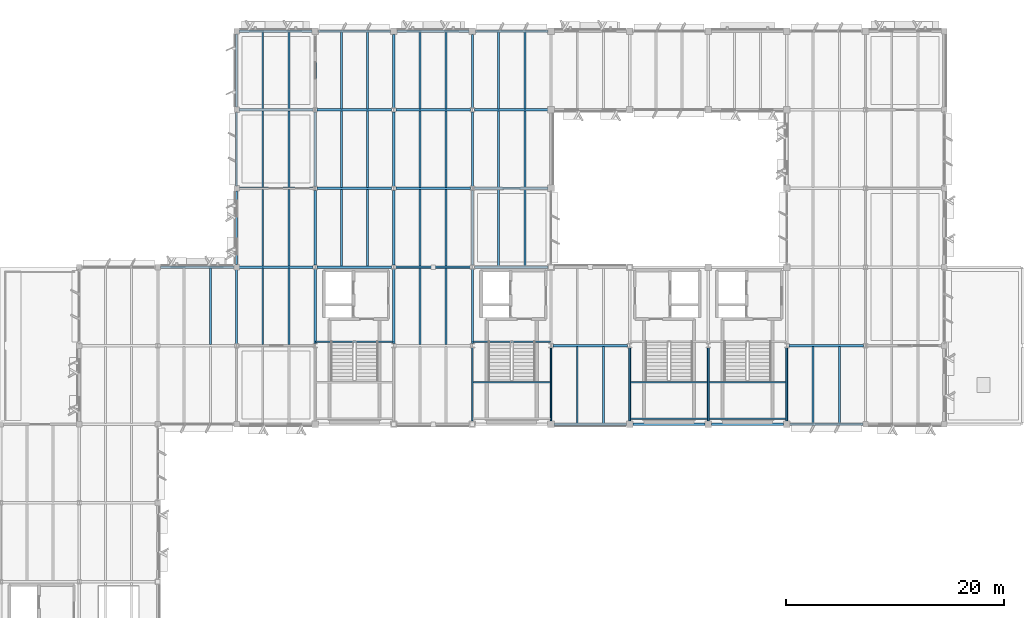
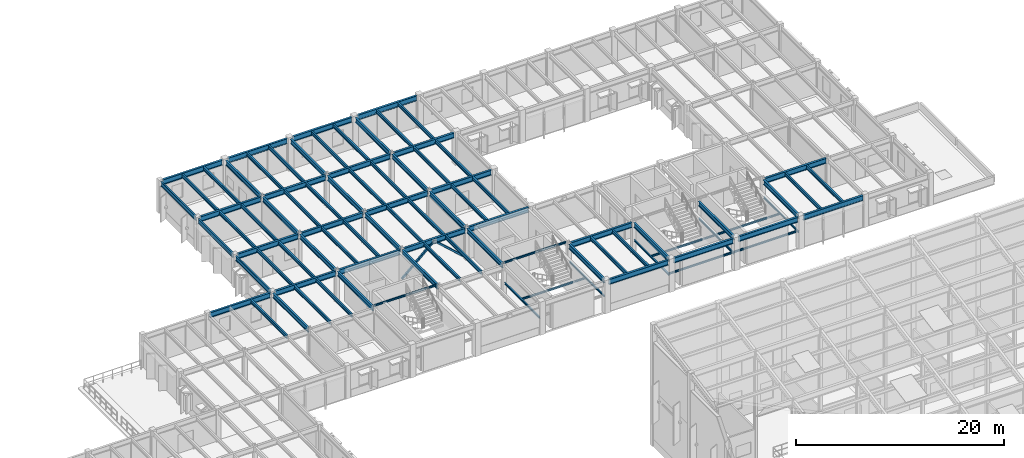
# One storey, part 19 of 82: 88 beams, 2 members.
"""IFC4 building model written with IfcOpenShell, lengths in metres."""

from ifc_helpers import new_model, si_unit, direction, frame, origin, origin_2d, place, context, subcontext, project, spatial, hollow_rectangle, i_section, extrude, material, material_profile, profile_set, type_object, element, save


model = new_model("IFC4")

# Units and contexts
model_context = context("Model", 3, precision=1e-05, world=origin(), true_north=direction((0.0, 1.0)))
body_context = subcontext(model_context, "Body", "Model", "MODEL_VIEW")
ifc_project = project(units=[si_unit("LENGTHUNIT", "METRE"), si_unit("AREAUNIT", "SQUARE_METRE"), si_unit("VOLUMEUNIT", "CUBIC_METRE"), si_unit("PLANEANGLEUNIT", "RADIAN"), si_unit("MASSUNIT", "GRAM", prefix="KILO")], contexts=[model_context])

# Site, building, storey
site_placement = place(None, origin())
site = spatial("IfcSite", under=ifc_project, at=site_placement, CompositionType="ELEMENT")
building_placement = place(site_placement, origin())
building = spatial("IfcBuilding", under=site, at=building_placement, Name="Sillqori Civic Hall", CompositionType="ELEMENT")
storey_placement = place(building_placement, frame((0.0, 0.0, 14.10009765625)))
storey = spatial("IfcBuildingStorey", under=building, at=storey_placement, Name="L04", CompositionType="ELEMENT", Elevation=14.10009765625)

# Beams
ifc_material_1 = material(Name="Steel ASTM A992", Category="steel")
ifc_material_profile_1 = material_profile(ifc_material_1, i_section(OverallWidth=0.2099609375, OverallDepth=0.532958984375, WebThickness=0.01025390625, FlangeThickness=0.015625, FilletRadius=0.013916015625, at=origin_2d()), Name="W21X62")
ifc_profile_set_1 = profile_set([ifc_material_profile_1], Name="Steel ASTM A992")
beam_type_1 = type_object("IfcBeamType", Name="BM-W21X62", PredefinedType="BEAM", material=ifc_profile_set_1)
beam_1_placement = place(storey_placement, frame((43.199951171875, 86.574462890625, 3.453369140625), z_axis=(0.0, 1.0, 0.0), x_axis=(-1.0, 0.0, 0.0)))
element("IfcBeam", 1, at=beam_1_placement, inside=storey, type_object=beam_type_1, Name="L04 girder Y 6-12", PredefinedType="BEAM", context=body_context, shape_type="SweptSolid", body=[
    extrude(i_section(OverallWidth=0.2099609375, OverallDepth=0.532958984375, WebThickness=0.01025390625, FlangeThickness=0.015625, FilletRadius=0.013916015625, at=origin_2d()), origin(), (0.0, 0.0, 1.0), 6.781494140625),
])
beam_2_placement = place(storey_placement, frame((50.39990234375, 86.58203125, 3.453369140625), z_axis=(0.0, 1.0, 0.0), x_axis=(-1.0, 0.0, 0.0)))
element("IfcBeam", 2, at=beam_2_placement, inside=storey, type_object=beam_type_1, Name="L04 girder Y 7-12", PredefinedType="BEAM", context=body_context, shape_type="SweptSolid", body=[
    extrude(i_section(OverallWidth=0.2099609375, OverallDepth=0.532958984375, WebThickness=0.01025390625, FlangeThickness=0.015625, FilletRadius=0.013916015625, at=origin_2d()), origin(), (0.0, 0.0, 1.0), 6.8359375),
])
beam_3_placement = place(storey_placement, frame((50.39990234375, 93.781982421875, 3.453369140625), z_axis=(0.0, 1.0, 0.0), x_axis=(-1.0, 0.0, 0.0)))
element("IfcBeam", 3, at=beam_3_placement, inside=storey, type_object=beam_type_1, Name="L04 girder Y 7-13", PredefinedType="BEAM", context=body_context, shape_type="SweptSolid", body=[
    extrude(i_section(OverallWidth=0.2099609375, OverallDepth=0.532958984375, WebThickness=0.01025390625, FlangeThickness=0.015625, FilletRadius=0.013916015625, at=origin_2d()), origin(), (0.0, 0.0, 1.0), 6.840087890625),
])
beam_4_placement = place(storey_placement, frame((50.39990234375, 100.97802734375, 3.453369140625), z_axis=(0.0, 1.0, 0.0), x_axis=(-1.0, 0.0, 0.0)))
element("IfcBeam", 4, at=beam_4_placement, inside=storey, type_object=beam_type_1, Name="L04 girder Y 7-14", PredefinedType="BEAM", context=body_context, shape_type="SweptSolid", body=[
    extrude(i_section(OverallWidth=0.2099609375, OverallDepth=0.532958984375, WebThickness=0.01025390625, FlangeThickness=0.015625, FilletRadius=0.013916015625, at=origin_2d()), origin(), (0.0, 0.0, 1.0), 6.843994140625),
])
beam_5_placement = place(storey_placement, frame((50.39990234375, 108.177978515625, 3.453369140625), z_axis=(0.0, 1.0, 0.0), x_axis=(-1.0, 0.0, 0.0)))
element("IfcBeam", 5, at=beam_5_placement, inside=storey, type_object=beam_type_1, Name="L04 girder Y 7-15", PredefinedType="BEAM", context=body_context, shape_type="SweptSolid", body=[
    extrude(i_section(OverallWidth=0.2099609375, OverallDepth=0.532958984375, WebThickness=0.01025390625, FlangeThickness=0.015625, FilletRadius=0.013916015625, at=origin_2d()), origin(), (0.0, 0.0, 1.0), 6.72802734375),
])
for number, where, z_axis, x_axis, name in (
    (6, (57.60009765625, 86.58203125, 3.453369140625), (0.0, 1.0, 0.0), (-1.0, 0.0, 0.0), "L04 girder Y 8-12"),
    (7, (57.60009765625, 93.781982421875, 3.453369140625), (0.0, 1.0, 0.0), (-1.0, 0.0, 0.0), "L04 girder Y 8-13"),
):
    element("IfcBeam", number, at=place(storey_placement, frame(where, z_axis=z_axis, x_axis=x_axis)), inside=storey, type_object=beam_type_1, Name=name, PredefinedType="BEAM", context=body_context, shape_type="SweptSolid", body=[
        extrude(i_section(OverallWidth=0.2099609375, OverallDepth=0.532958984375, WebThickness=0.01025390625, FlangeThickness=0.015625, FilletRadius=0.013916015625, at=origin_2d()), origin(), (0.0, 0.0, 1.0), 6.8359375),
    ])
beam_6_placement = place(storey_placement, frame((57.60009765625, 100.98193359375, 3.453369140625), z_axis=(0.0, 1.0, 0.0), x_axis=(-1.0, 0.0, 0.0)))
element("IfcBeam", 8, at=beam_6_placement, inside=storey, type_object=beam_type_1, Name="L04 girder Y 8-14", PredefinedType="BEAM", context=body_context, shape_type="SweptSolid", body=[
    extrude(i_section(OverallWidth=0.2099609375, OverallDepth=0.532958984375, WebThickness=0.01025390625, FlangeThickness=0.015625, FilletRadius=0.013916015625, at=origin_2d()), origin(), (0.0, 0.0, 1.0), 6.836181640625),
])
beam_7_placement = place(storey_placement, frame((57.60009765625, 108.181884765625, 3.453369140625), z_axis=(0.0, 1.0, 0.0), x_axis=(-1.0, 0.0, 0.0)))
element("IfcBeam", 9, at=beam_7_placement, inside=storey, type_object=beam_type_1, Name="L04 girder Y 8-15", PredefinedType="BEAM", context=body_context, shape_type="SweptSolid", body=[
    extrude(i_section(OverallWidth=0.2099609375, OverallDepth=0.532958984375, WebThickness=0.01025390625, FlangeThickness=0.015625, FilletRadius=0.013916015625, at=origin_2d()), origin(), (0.0, 0.0, 1.0), 6.72412109375),
])
for number, where, z_axis, x_axis, name in (
    (10, (64.800048828125, 86.58203125, 3.453369140625), (0.0, 1.0, 0.0), (-1.0, 0.0, 0.0), "L04 girder Y 9-12"),
    (11, (64.800048828125, 93.781982421875, 3.453369140625), (0.0, 1.0, 0.0), (-1.0, 0.0, 0.0), "L04 girder Y 9-13"),
):
    element("IfcBeam", number, at=place(storey_placement, frame(where, z_axis=z_axis, x_axis=x_axis)), inside=storey, type_object=beam_type_1, Name=name, PredefinedType="BEAM", context=body_context, shape_type="SweptSolid", body=[
        extrude(i_section(OverallWidth=0.2099609375, OverallDepth=0.532958984375, WebThickness=0.01025390625, FlangeThickness=0.015625, FilletRadius=0.013916015625, at=origin_2d()), origin(), (0.0, 0.0, 1.0), 6.8359375),
    ])
beam_8_placement = place(storey_placement, frame((64.800048828125, 100.98193359375, 3.453369140625), z_axis=(0.0, 1.0, 0.0), x_axis=(-1.0, 0.0, 0.0)))
element("IfcBeam", 12, at=beam_8_placement, inside=storey, type_object=beam_type_1, Name="L04 girder Y 9-14", PredefinedType="BEAM", context=body_context, shape_type="SweptSolid", body=[
    extrude(i_section(OverallWidth=0.2099609375, OverallDepth=0.532958984375, WebThickness=0.01025390625, FlangeThickness=0.015625, FilletRadius=0.013916015625, at=origin_2d()), origin(), (0.0, 0.0, 1.0), 6.836181640625),
])
for number, where, z_axis, x_axis, name in (
    (13, (64.800048828125, 108.181884765625, 3.453369140625), (0.0, 1.0, 0.0), (-1.0, 0.0, 0.0), "L04 girder Y 9-15"),
    (14, (72.0, 79.493896484375, 3.453369140625), (0.0, 1.0, 0.0), (-1.0, 0.0, 0.0), "L04 girder Y 10-11"),
    (15, (79.199951171875, 79.493896484375, 3.453369140625), (0.0, 1.0, 0.0), (-1.0, 0.0, 0.0), "L04 girder Y 11-11"),
    (16, (86.39990234375, 79.493896484375, 3.453369140625), (0.0, 1.0, 0.0), (-1.0, 0.0, 0.0), "L04 girder Y 12-11"),
    (17, (93.60009765625, 79.493896484375, 3.453369140625), (0.0, 1.0, 0.0), (-1.0, 0.0, 0.0), "L04 girder Y 13-11"),
):
    element("IfcBeam", number, at=place(storey_placement, frame(where, z_axis=z_axis, x_axis=x_axis)), inside=storey, type_object=beam_type_1, Name=name, PredefinedType="BEAM", context=body_context, shape_type="SweptSolid", body=[
        extrude(i_section(OverallWidth=0.2099609375, OverallDepth=0.532958984375, WebThickness=0.01025390625, FlangeThickness=0.015625, FilletRadius=0.013916015625, at=origin_2d()), origin(), (0.0, 0.0, 1.0), 6.72412109375),
    ])
ifc_material_profile_2 = material_profile(ifc_material_1, i_section(OverallWidth=0.22802734375, OverallDepth=0.60205078125, WebThickness=0.010498046875, FlangeThickness=0.014892578125, FilletRadius=0.014892578125, at=origin_2d()), Name="W24X68")
ifc_profile_set_2 = profile_set([ifc_material_profile_2], Name="Steel ASTM A992")
beam_type_2 = type_object("IfcBeamType", Name="BM-W24X68", PredefinedType="BEAM", material=ifc_profile_set_2)
beam_9_placement = place(storey_placement, frame((36.243896484375, 93.60009765625, 3.4189453125), z_axis=(1.0, 0.0, 0.0), x_axis=(0.0, 1.0, 0.0)))
element("IfcBeam", 18, at=beam_9_placement, inside=storey, type_object=beam_type_2, Name="L04 girder X 5-13", PredefinedType="BEAM", context=body_context, shape_type="SweptSolid", body=[
    extrude(i_section(OverallWidth=0.22802734375, OverallDepth=0.60205078125, WebThickness=0.010498046875, FlangeThickness=0.014892578125, FilletRadius=0.014892578125, at=origin_2d()), origin(), (0.0, 0.0, 1.0), 6.712158203125),
])
beam_10_placement = place(storey_placement, frame((43.444091796875, 93.60009765625, 3.4189453125), z_axis=(1.0, 0.0, 0.0), x_axis=(0.0, 1.0, 0.0)))
element("IfcBeam", 19, at=beam_10_placement, inside=storey, type_object=beam_type_2, Name="L04 girder X 6-13", PredefinedType="BEAM", context=body_context, shape_type="SweptSolid", body=[
    extrude(i_section(OverallWidth=0.22802734375, OverallDepth=0.60205078125, WebThickness=0.010498046875, FlangeThickness=0.014892578125, FilletRadius=0.014892578125, at=origin_2d()), origin(), (0.0, 0.0, 1.0), 6.764892578125),
])
for number, where, z_axis, x_axis, name in (
    (20, (43.444091796875, 100.800048828125, 3.4189453125), (1.0, 0.0, 0.0), (0.0, 1.0, 0.0), "L04 girder X 6-14"),
    (21, (43.444091796875, 108.0, 3.4189453125), (1.0, 0.0, 0.0), (0.0, 1.0, 0.0), "L04 girder X 6-15"),
):
    element("IfcBeam", number, at=place(storey_placement, frame(where, z_axis=z_axis, x_axis=x_axis)), inside=storey, type_object=beam_type_2, Name=name, PredefinedType="BEAM", context=body_context, shape_type="SweptSolid", body=[
        extrude(i_section(OverallWidth=0.22802734375, OverallDepth=0.60205078125, WebThickness=0.010498046875, FlangeThickness=0.014892578125, FilletRadius=0.014892578125, at=origin_2d()), origin(), (0.0, 0.0, 1.0), 6.775390625),
    ])
beam_11_placement = place(storey_placement, frame((43.444091796875, 115.199951171875, 3.4189453125), z_axis=(1.0, 0.0, 0.0), x_axis=(0.0, 1.0, 0.0)))
element("IfcBeam", 22, at=beam_11_placement, inside=storey, type_object=beam_type_2, Name="L04 girder X 6-16", PredefinedType="BEAM", context=body_context, shape_type="SweptSolid", body=[
    extrude(i_section(OverallWidth=0.22802734375, OverallDepth=0.60205078125, WebThickness=0.010498046875, FlangeThickness=0.014892578125, FilletRadius=0.014892578125, at=origin_2d()), origin(), (0.0, 0.0, 1.0), 6.661865234375),
])
beam_12_placement = place(storey_placement, frame((50.591064453125, 93.60009765625, 3.4189453125), z_axis=(1.0, 0.0, 0.0), x_axis=(0.0, 1.0, 0.0)))
element("IfcBeam", 23, at=beam_12_placement, inside=storey, type_object=beam_type_2, Name="L04 girder X 7-13", PredefinedType="BEAM", context=body_context, shape_type="SweptSolid", body=[
    extrude(i_section(OverallWidth=0.22802734375, OverallDepth=0.60205078125, WebThickness=0.010498046875, FlangeThickness=0.014892578125, FilletRadius=0.014892578125, at=origin_2d()), origin(), (0.0, 0.0, 1.0), 6.81787109375),
])
for number, where, z_axis, x_axis, name in (
    (24, (50.58056640625, 100.800048828125, 3.4189453125), (1.0, 0.0, 0.0), (0.0, 1.0, 0.0), "L04 girder X 7-14"),
    (25, (50.58056640625, 108.0, 3.4189453125), (1.0, 0.0, 0.0), (0.0, 1.0, 0.0), "L04 girder X 7-15"),
):
    element("IfcBeam", number, at=place(storey_placement, frame(where, z_axis=z_axis, x_axis=x_axis)), inside=storey, type_object=beam_type_2, Name=name, PredefinedType="BEAM", context=body_context, shape_type="SweptSolid", body=[
        extrude(i_section(OverallWidth=0.22802734375, OverallDepth=0.60205078125, WebThickness=0.010498046875, FlangeThickness=0.014892578125, FilletRadius=0.014892578125, at=origin_2d()), origin(), (0.0, 0.0, 1.0), 6.828369140625),
    ])
beam_13_placement = place(storey_placement, frame((50.694091796875, 115.199951171875, 3.4189453125), z_axis=(1.0, 0.0, 0.0), x_axis=(0.0, 1.0, 0.0)))
element("IfcBeam", 26, at=beam_13_placement, inside=storey, type_object=beam_type_2, Name="L04 girder X 7-16", PredefinedType="BEAM", context=body_context, shape_type="SweptSolid", body=[
    extrude(i_section(OverallWidth=0.22802734375, OverallDepth=0.60205078125, WebThickness=0.010498046875, FlangeThickness=0.014892578125, FilletRadius=0.014892578125, at=origin_2d()), origin(), (0.0, 0.0, 1.0), 6.61181640625),
])
for number, where, z_axis, x_axis, name in (
    (27, (57.791015625, 93.60009765625, 3.4189453125), (1.0, 0.0, 0.0), (0.0, 1.0, 0.0), "L04 girder X 8-13"),
    (28, (57.791015625, 100.800048828125, 3.4189453125), (1.0, 0.0, 0.0), (0.0, 1.0, 0.0), "L04 girder X 8-14"),
    (29, (57.791015625, 108.0, 3.4189453125), (1.0, 0.0, 0.0), (0.0, 1.0, 0.0), "L04 girder X 8-15"),
):
    element("IfcBeam", number, at=place(storey_placement, frame(where, z_axis=z_axis, x_axis=x_axis)), inside=storey, type_object=beam_type_2, Name=name, PredefinedType="BEAM", context=body_context, shape_type="SweptSolid", body=[
        extrude(i_section(OverallWidth=0.22802734375, OverallDepth=0.60205078125, WebThickness=0.010498046875, FlangeThickness=0.014892578125, FilletRadius=0.014892578125, at=origin_2d()), origin(), (0.0, 0.0, 1.0), 6.81787109375),
    ])
beam_14_placement = place(storey_placement, frame((57.89404296875, 115.199951171875, 3.4189453125), z_axis=(1.0, 0.0, 0.0), x_axis=(0.0, 1.0, 0.0)))
element("IfcBeam", 30, at=beam_14_placement, inside=storey, type_object=beam_type_2, Name="L04 girder X 8-16", PredefinedType="BEAM", context=body_context, shape_type="SweptSolid", body=[
    extrude(i_section(OverallWidth=0.22802734375, OverallDepth=0.60205078125, WebThickness=0.010498046875, FlangeThickness=0.014892578125, FilletRadius=0.014892578125, at=origin_2d()), origin(), (0.0, 0.0, 1.0), 6.612060546875),
])
for number, where, z_axis, x_axis, name in (
    (31, (64.990966796875, 93.60009765625, 3.4189453125), (1.0, 0.0, 0.0), (0.0, 1.0, 0.0), "L04 girder X 9-13"),
    (32, (64.990966796875, 100.800048828125, 3.4189453125), (1.0, 0.0, 0.0), (0.0, 1.0, 0.0), "L04 girder X 9-14"),
    (33, (64.990966796875, 108.0, 3.4189453125), (1.0, 0.0, 0.0), (0.0, 1.0, 0.0), "L04 girder X 9-15"),
):
    element("IfcBeam", number, at=place(storey_placement, frame(where, z_axis=z_axis, x_axis=x_axis)), inside=storey, type_object=beam_type_2, Name=name, PredefinedType="BEAM", context=body_context, shape_type="SweptSolid", body=[
        extrude(i_section(OverallWidth=0.22802734375, OverallDepth=0.60205078125, WebThickness=0.010498046875, FlangeThickness=0.014892578125, FilletRadius=0.014892578125, at=origin_2d()), origin(), (0.0, 0.0, 1.0), 6.715087890625),
    ])
for number, where, z_axis, x_axis, name in (
    (34, (65.093994140625, 115.199951171875, 3.4189453125), (1.0, 0.0, 0.0), (0.0, 1.0, 0.0), "L04 girder X 9-16"),
    (35, (72.2939453125, 79.199951171875, 3.4189453125), (1.0, 0.0, 0.0), (0.0, 1.0, 0.0), "L04 girder X 10-11"),
):
    element("IfcBeam", number, at=place(storey_placement, frame(where, z_axis=z_axis, x_axis=x_axis)), inside=storey, type_object=beam_type_2, Name=name, PredefinedType="BEAM", context=body_context, shape_type="SweptSolid", body=[
        extrude(i_section(OverallWidth=0.22802734375, OverallDepth=0.60205078125, WebThickness=0.010498046875, FlangeThickness=0.014892578125, FilletRadius=0.014892578125, at=origin_2d()), origin(), (0.0, 0.0, 1.0), 6.612060546875),
    ])
beam_15_placement = place(storey_placement, frame((72.19091796875, 86.39990234375, 3.4189453125), z_axis=(1.0, 0.0, 0.0), x_axis=(0.0, 1.0, 0.0)))
element("IfcBeam", 36, at=beam_15_placement, inside=storey, type_object=beam_type_2, Name="L04 girder X 10-12", PredefinedType="BEAM", context=body_context, shape_type="SweptSolid", body=[
    extrude(i_section(OverallWidth=0.22802734375, OverallDepth=0.60205078125, WebThickness=0.010498046875, FlangeThickness=0.014892578125, FilletRadius=0.014892578125, at=origin_2d()), origin(), (0.0, 0.0, 1.0), 6.818115234375),
])
beam_16_placement = place(storey_placement, frame((79.493896484375, 79.199951171875, 3.4189453125), z_axis=(1.0, 0.0, 0.0), x_axis=(0.0, 1.0, 0.0)))
element("IfcBeam", 37, at=beam_16_placement, inside=storey, type_object=beam_type_2, Name="L04 girder X 11-11", PredefinedType="BEAM", context=body_context, shape_type="SweptSolid", body=[
    extrude(i_section(OverallWidth=0.22802734375, OverallDepth=0.60205078125, WebThickness=0.010498046875, FlangeThickness=0.014892578125, FilletRadius=0.014892578125, at=origin_2d()), origin(), (0.0, 0.0, 1.0), 6.612060546875),
])
beam_17_placement = place(storey_placement, frame((86.694091796875, 79.199951171875, 3.4189453125), z_axis=(1.0, 0.0, 0.0), x_axis=(0.0, 1.0, 0.0)))
element("IfcBeam", 38, at=beam_17_placement, inside=storey, type_object=beam_type_2, Name="L04 girder X 12-11", PredefinedType="BEAM", context=body_context, shape_type="SweptSolid", body=[
    extrude(i_section(OverallWidth=0.22802734375, OverallDepth=0.60205078125, WebThickness=0.010498046875, FlangeThickness=0.014892578125, FilletRadius=0.014892578125, at=origin_2d()), origin(), (0.0, 0.0, 1.0), 6.61181640625),
])
beam_18_placement = place(storey_placement, frame((93.89404296875, 79.199951171875, 3.4189453125), z_axis=(1.0, 0.0, 0.0), x_axis=(0.0, 1.0, 0.0)))
element("IfcBeam", 39, at=beam_18_placement, inside=storey, type_object=beam_type_2, Name="L04 girder X 13-11", PredefinedType="BEAM", context=body_context, shape_type="SweptSolid", body=[
    extrude(i_section(OverallWidth=0.22802734375, OverallDepth=0.60205078125, WebThickness=0.010498046875, FlangeThickness=0.014892578125, FilletRadius=0.014892578125, at=origin_2d()), origin(), (0.0, 0.0, 1.0), 6.661865234375),
])
beam_19_placement = place(storey_placement, frame((93.791015625, 86.39990234375, 3.4189453125), z_axis=(1.0, 0.0, 0.0), x_axis=(0.0, 1.0, 0.0)))
element("IfcBeam", 40, at=beam_19_placement, inside=storey, type_object=beam_type_2, Name="L04 girder X 13-12", PredefinedType="BEAM", context=body_context, shape_type="SweptSolid", body=[
    extrude(i_section(OverallWidth=0.22802734375, OverallDepth=0.60205078125, WebThickness=0.010498046875, FlangeThickness=0.014892578125, FilletRadius=0.014892578125, at=origin_2d()), origin(), (0.0, 0.0, 1.0), 6.81787109375),
])

# Members
ifc_material_2 = material(Name="Steel ASTM A500 Grade C", Category="steel")
ifc_material_profile_3 = material_profile(ifc_material_2, hollow_rectangle(XDim=0.199951171875, YDim=0.199951171875, WallThickness=0.010009765625, InnerFilletRadius=0.010009765625, OuterFilletRadius=0.02001953125, at=origin_2d()), Name="HSS200X200X10")
ifc_profile_set_3 = profile_set([ifc_material_profile_3], Name="Steel ASTM A500 Grade C")
member_type = type_object("IfcMemberType", Name="BR-HSS200", PredefinedType="BRACE", material=ifc_profile_set_3)
member_1_placement = place(storey_placement, frame((57.60009765625, 93.60009765625, 0.14990234375), z_axis=(0.742254478498, 0.0, 0.67011811582), x_axis=(0.0, 1.0, 0.0)))
element("IfcMember", 41, at=member_1_placement, inside=storey, type_object=member_type, Name="L04 seismic chevron brace L X13-8", PredefinedType="BRACE", context=body_context, shape_type="SweptSolid", body=[
    extrude(hollow_rectangle(XDim=0.199951171875, YDim=0.199951171875, WallThickness=0.010009765625, InnerFilletRadius=0.010009765625, OuterFilletRadius=0.02001953125, at=origin_2d()), origin(), (0.0, 0.0, 1.0), 4.849853515625),
])
member_2_placement = place(storey_placement, frame((64.800048828125, 93.60009765625, 0.14990234375), z_axis=(-0.742277082557, 0.0, 0.670093077648), x_axis=(0.0, -1.0, 0.0)))
element("IfcMember", 42, at=member_2_placement, inside=storey, type_object=member_type, Name="L04 seismic chevron brace R X13-8", PredefinedType="BRACE", context=body_context, shape_type="SweptSolid", body=[
    extrude(hollow_rectangle(XDim=0.199951171875, YDim=0.199951171875, WallThickness=0.010009765625, InnerFilletRadius=0.010009765625, OuterFilletRadius=0.02001953125, at=origin_2d()), origin(), (0.0, 0.0, 1.0), 4.85009765625),
])

# Beams
ifc_material_profile_4 = material_profile(ifc_material_1, i_section(OverallWidth=0.177978515625, OverallDepth=0.404052734375, WebThickness=0.007568359375, FlangeThickness=0.010986328125, FilletRadius=0.011962890625, at=origin_2d()), Name="W16X36")
ifc_profile_set_4 = profile_set([ifc_material_profile_4], Name="Steel ASTM A992")
beam_type_3 = type_object("IfcBeamType", Name="JS-W16X36", PredefinedType="JOIST", material=ifc_profile_set_4)
for number, where, z_axis, x_axis, name in (
    (43, (40.800048828125, 86.4951171875, 3.517822265625), (0.0, 1.0, 0.0), (-1.0, 0.0, 0.0), "L04 composite joist 5-12.2"),
    (44, (45.60009765625, 86.4951171875, 3.517822265625), (0.0, 1.0, 0.0), (-1.0, 0.0, 0.0), "L04 composite joist 6-12.1"),
    (45, (48.0, 86.4951171875, 3.517822265625), (0.0, 1.0, 0.0), (-1.0, 0.0, 0.0), "L04 composite joist 6-12.2"),
):
    element("IfcBeam", number, at=place(storey_placement, frame(where, z_axis=z_axis, x_axis=x_axis)), inside=storey, type_object=beam_type_3, Name=name, PredefinedType="JOIST", context=body_context, shape_type="SweptSolid", body=[
        extrude(i_section(OverallWidth=0.177978515625, OverallDepth=0.404052734375, WebThickness=0.007568359375, FlangeThickness=0.010986328125, FilletRadius=0.011962890625, at=origin_2d()), origin(), (0.0, 0.0, 1.0), 7.009765625),
    ])
for number, where, z_axis, x_axis, name in (
    (46, (45.60009765625, 93.695068359375, 3.517822265625), (0.0, 1.0, 0.0), (-1.0, 0.0, 0.0), "L04 composite joist 6-13.1"),
    (47, (48.0, 93.695068359375, 3.517822265625), (0.0, 1.0, 0.0), (-1.0, 0.0, 0.0), "L04 composite joist 6-13.2"),
    (48, (45.60009765625, 100.89501953125, 3.517822265625), (0.0, 1.0, 0.0), (-1.0, 0.0, 0.0), "L04 composite joist 6-14.1"),
    (49, (48.0, 100.89501953125, 3.517822265625), (0.0, 1.0, 0.0), (-1.0, 0.0, 0.0), "L04 composite joist 6-14.2"),
    (50, (45.60009765625, 108.094970703125, 3.517822265625), (0.0, 1.0, 0.0), (-1.0, 0.0, 0.0), "L04 composite joist 6-15.1"),
    (51, (48.0, 108.094970703125, 3.517822265625), (0.0, 1.0, 0.0), (-1.0, 0.0, 0.0), "L04 composite joist 6-15.2"),
    (52, (52.800048828125, 93.695068359375, 3.517822265625), (0.0, 1.0, 0.0), (-1.0, 0.0, 0.0), "L04 composite joist 7-13.1"),
    (53, (55.199951171875, 93.695068359375, 3.517822265625), (0.0, 1.0, 0.0), (-1.0, 0.0, 0.0), "L04 composite joist 7-13.2"),
    (54, (52.800048828125, 100.89501953125, 3.517822265625), (0.0, 1.0, 0.0), (-1.0, 0.0, 0.0), "L04 composite joist 7-14.1"),
    (55, (55.199951171875, 100.89501953125, 3.517822265625), (0.0, 1.0, 0.0), (-1.0, 0.0, 0.0), "L04 composite joist 7-14.2"),
    (56, (52.800048828125, 108.094970703125, 3.517822265625), (0.0, 1.0, 0.0), (-1.0, 0.0, 0.0), "L04 composite joist 7-15.1"),
    (57, (55.199951171875, 108.094970703125, 3.517822265625), (0.0, 1.0, 0.0), (-1.0, 0.0, 0.0), "L04 composite joist 7-15.2"),
):
    element("IfcBeam", number, at=place(storey_placement, frame(where, z_axis=z_axis, x_axis=x_axis)), inside=storey, type_object=beam_type_3, Name=name, PredefinedType="JOIST", context=body_context, shape_type="SweptSolid", body=[
        extrude(i_section(OverallWidth=0.177978515625, OverallDepth=0.404052734375, WebThickness=0.007568359375, FlangeThickness=0.010986328125, FilletRadius=0.011962890625, at=origin_2d()), origin(), (0.0, 0.0, 1.0), 7.010009765625),
    ])
for number, where, z_axis, x_axis, name in (
    (58, (60.0, 86.4951171875, 3.517822265625), (0.0, 1.0, 0.0), (-1.0, 0.0, 0.0), "L04 composite joist 8-12.1"),
    (59, (62.39990234375, 86.4951171875, 3.517822265625), (0.0, 1.0, 0.0), (-1.0, 0.0, 0.0), "L04 composite joist 8-12.2"),
):
    element("IfcBeam", number, at=place(storey_placement, frame(where, z_axis=z_axis, x_axis=x_axis)), inside=storey, type_object=beam_type_3, Name=name, PredefinedType="JOIST", context=body_context, shape_type="SweptSolid", body=[
        extrude(i_section(OverallWidth=0.177978515625, OverallDepth=0.404052734375, WebThickness=0.007568359375, FlangeThickness=0.010986328125, FilletRadius=0.011962890625, at=origin_2d()), origin(), (0.0, 0.0, 1.0), 7.009765625),
    ])
for number, where, z_axis, x_axis, name in (
    (60, (60.0, 93.695068359375, 3.517822265625), (0.0, 1.0, 0.0), (-1.0, 0.0, 0.0), "L04 composite joist 8-13.1"),
    (61, (62.39990234375, 93.695068359375, 3.517822265625), (0.0, 1.0, 0.0), (-1.0, 0.0, 0.0), "L04 composite joist 8-13.2"),
    (62, (60.0, 100.89501953125, 3.517822265625), (0.0, 1.0, 0.0), (-1.0, 0.0, 0.0), "L04 composite joist 8-14.1"),
    (63, (62.39990234375, 100.89501953125, 3.517822265625), (0.0, 1.0, 0.0), (-1.0, 0.0, 0.0), "L04 composite joist 8-14.2"),
    (64, (60.0, 108.094970703125, 3.517822265625), (0.0, 1.0, 0.0), (-1.0, 0.0, 0.0), "L04 composite joist 8-15.1"),
    (65, (62.39990234375, 108.094970703125, 3.517822265625), (0.0, 1.0, 0.0), (-1.0, 0.0, 0.0), "L04 composite joist 8-15.2"),
    (66, (67.199951171875, 93.695068359375, 3.517822265625), (0.0, 1.0, 0.0), (-1.0, 0.0, 0.0), "L04 composite joist 9-13.1"),
    (67, (69.60009765625, 93.695068359375, 3.517822265625), (0.0, 1.0, 0.0), (-1.0, 0.0, 0.0), "L04 composite joist 9-13.2"),
    (68, (67.199951171875, 100.89501953125, 3.517822265625), (0.0, 1.0, 0.0), (-1.0, 0.0, 0.0), "L04 composite joist 9-14.1"),
    (69, (69.60009765625, 100.89501953125, 3.517822265625), (0.0, 1.0, 0.0), (-1.0, 0.0, 0.0), "L04 composite joist 9-14.2"),
    (70, (67.199951171875, 108.094970703125, 3.517822265625), (0.0, 1.0, 0.0), (-1.0, 0.0, 0.0), "L04 composite joist 9-15.1"),
    (71, (69.60009765625, 108.094970703125, 3.517822265625), (0.0, 1.0, 0.0), (-1.0, 0.0, 0.0), "L04 composite joist 9-15.2"),
    (72, (74.39990234375, 79.294921875, 3.517822265625), (0.0, 1.0, 0.0), (-1.0, 0.0, 0.0), "L04 composite joist 10-11.1"),
    (73, (76.800048828125, 79.294921875, 3.517822265625), (0.0, 1.0, 0.0), (-1.0, 0.0, 0.0), "L04 composite joist 10-11.2"),
    (74, (96.0, 79.294921875, 3.517822265625), (0.0, 1.0, 0.0), (-1.0, 0.0, 0.0), "L04 composite joist 13-11.1"),
    (75, (98.39990234375, 79.294921875, 3.517822265625), (0.0, 1.0, 0.0), (-1.0, 0.0, 0.0), "L04 composite joist 13-11.2"),
):
    element("IfcBeam", number, at=place(storey_placement, frame(where, z_axis=z_axis, x_axis=x_axis)), inside=storey, type_object=beam_type_3, Name=name, PredefinedType="JOIST", context=body_context, shape_type="SweptSolid", body=[
        extrude(i_section(OverallWidth=0.177978515625, OverallDepth=0.404052734375, WebThickness=0.007568359375, FlangeThickness=0.010986328125, FilletRadius=0.011962890625, at=origin_2d()), origin(), (0.0, 0.0, 1.0), 7.010009765625),
    ])
ifc_material_profile_5 = material_profile(ifc_material_1, i_section(OverallWidth=0.133056640625, OverallDepth=0.20703125, WebThickness=0.005859375, FlangeThickness=0.00830078125, FilletRadius=0.008056640625, at=origin_2d()), Name="W8X18")
ifc_profile_set_5 = profile_set([ifc_material_profile_5], Name="Steel ASTM A992")
beam_type_4 = type_object("IfcBeamType", Name="LN-W8X18", PredefinedType="LINTEL", material=ifc_profile_set_5)
beam_20_placement = place(storey_placement, frame((50.449951171875, 86.77001953125, 3.622314453125), z_axis=(1.0, 0.0, 0.0), x_axis=(0.0, 1.0, 0.0)))
element("IfcBeam", 76, at=beam_20_placement, inside=storey, type_object=beam_type_4, Name="L04 C5 stair upper arrival steel trimmer", PredefinedType="LINTEL", context=body_context, shape_type="SweptSolid", body=[
    extrude(i_section(OverallWidth=0.133056640625, OverallDepth=0.20703125, WebThickness=0.005859375, FlangeThickness=0.00830078125, FilletRadius=0.008056640625, at=origin_2d()), origin(), (0.0, 0.0, 1.0), 7.10009765625),
])
for number, where, z_axis, x_axis, name in (
    (77, (64.800048828125, 79.493896484375, 1.63232421875), (0.0, 1.0, 0.0), (-1.0, 0.0, 0.0), "L04 grid 9 stair landing stringer 1"),
    (78, (72.0, 79.493896484375, 1.63232421875), (0.0, 1.0, 0.0), (-1.0, 0.0, 0.0), "L04 grid 10 stair landing stringer 1"),
):
    element("IfcBeam", number, at=place(storey_placement, frame(where, z_axis=z_axis, x_axis=x_axis)), inside=storey, type_object=beam_type_4, Name=name, PredefinedType="LINTEL", context=body_context, shape_type="SweptSolid", body=[
        extrude(i_section(OverallWidth=0.133056640625, OverallDepth=0.20703125, WebThickness=0.005859375, FlangeThickness=0.00830078125, FilletRadius=0.008056640625, at=origin_2d()), origin(), (0.0, 0.0, 1.0), 6.72412109375),
    ])
for number, where, z_axis, x_axis, name in (
    (79, (64.85009765625, 83.070068359375, 1.63232421875), (1.0, 0.0, 0.0), (0.0, 1.0, 0.0), "L04 C6 stair half-landing steel ledger 1.2"),
    (80, (64.85009765625, 86.77001953125, 3.622314453125), (1.0, 0.0, 0.0), (0.0, 1.0, 0.0), "L04 C6 stair upper arrival steel trimmer"),
):
    element("IfcBeam", number, at=place(storey_placement, frame(where, z_axis=z_axis, x_axis=x_axis)), inside=storey, type_object=beam_type_4, Name=name, PredefinedType="LINTEL", context=body_context, shape_type="SweptSolid", body=[
        extrude(i_section(OverallWidth=0.133056640625, OverallDepth=0.20703125, WebThickness=0.005859375, FlangeThickness=0.00830078125, FilletRadius=0.008056640625, at=origin_2d()), origin(), (0.0, 0.0, 1.0), 7.099853515625),
    ])
for number, where, z_axis, x_axis, name in (
    (81, (79.199951171875, 79.493896484375, 1.63232421875), (0.0, 1.0, 0.0), (-1.0, 0.0, 0.0), "L04 grid 11 stair landing stringer 1"),
    (82, (86.39990234375, 79.493896484375, 1.63232421875), (0.0, 1.0, 0.0), (-1.0, 0.0, 0.0), "L04 grid 12 stair landing stringer 1"),
):
    element("IfcBeam", number, at=place(storey_placement, frame(where, z_axis=z_axis, x_axis=x_axis)), inside=storey, type_object=beam_type_4, Name=name, PredefinedType="LINTEL", context=body_context, shape_type="SweptSolid", body=[
        extrude(i_section(OverallWidth=0.133056640625, OverallDepth=0.20703125, WebThickness=0.005859375, FlangeThickness=0.00830078125, FilletRadius=0.008056640625, at=origin_2d()), origin(), (0.0, 0.0, 1.0), 6.72412109375),
    ])
for number, where, z_axis, x_axis, name in (
    (83, (79.25, 79.695068359375, 1.63232421875), (1.0, 0.0, 0.0), (0.0, 1.0, 0.0), "L04 C7 stair half-landing steel ledger 1.1"),
    (84, (79.25, 83.070068359375, 1.63232421875), (1.0, 0.0, 0.0), (0.0, 1.0, 0.0), "L04 C7 stair half-landing steel ledger 1.2"),
):
    element("IfcBeam", number, at=place(storey_placement, frame(where, z_axis=z_axis, x_axis=x_axis)), inside=storey, type_object=beam_type_4, Name=name, PredefinedType="LINTEL", context=body_context, shape_type="SweptSolid", body=[
        extrude(i_section(OverallWidth=0.133056640625, OverallDepth=0.20703125, WebThickness=0.005859375, FlangeThickness=0.00830078125, FilletRadius=0.008056640625, at=origin_2d()), origin(), (0.0, 0.0, 1.0), 7.10009765625),
    ])
beam_21_placement = place(storey_placement, frame((93.60009765625, 79.493896484375, 1.63232421875), z_axis=(0.0, 1.0, 0.0), x_axis=(-1.0, 0.0, 0.0)))
element("IfcBeam", 85, at=beam_21_placement, inside=storey, type_object=beam_type_4, Name="L04 grid 13 stair landing stringer 1", PredefinedType="LINTEL", context=body_context, shape_type="SweptSolid", body=[
    extrude(i_section(OverallWidth=0.133056640625, OverallDepth=0.20703125, WebThickness=0.005859375, FlangeThickness=0.00830078125, FilletRadius=0.008056640625, at=origin_2d()), origin(), (0.0, 0.0, 1.0), 6.72412109375),
])
for number, where, z_axis, x_axis, name in (
    (86, (86.449951171875, 79.695068359375, 1.63232421875), (1.0, 0.0, 0.0), (0.0, 1.0, 0.0), "L04 C8 stair half-landing steel ledger 1.1"),
    (87, (86.449951171875, 83.070068359375, 1.63232421875), (1.0, 0.0, 0.0), (0.0, 1.0, 0.0), "L04 C8 stair half-landing steel ledger 1.2"),
):
    element("IfcBeam", number, at=place(storey_placement, frame(where, z_axis=z_axis, x_axis=x_axis)), inside=storey, type_object=beam_type_4, Name=name, PredefinedType="LINTEL", context=body_context, shape_type="SweptSolid", body=[
        extrude(i_section(OverallWidth=0.133056640625, OverallDepth=0.20703125, WebThickness=0.005859375, FlangeThickness=0.00830078125, FilletRadius=0.008056640625, at=origin_2d()), origin(), (0.0, 0.0, 1.0), 7.10009765625),
    ])
ifc_material_profile_6 = material_profile(ifc_material_1, i_section(OverallWidth=0.166015625, OverallDepth=0.528076171875, WebThickness=0.009765625, FlangeThickness=0.013671875, FilletRadius=0.013916015625, at=origin_2d()), Name="W21X50")
ifc_profile_set_6 = profile_set([ifc_material_profile_6], Name="Steel ASTM A992")
beam_type_5 = type_object("IfcBeamType", Name="SP-W21X50", PredefinedType="SPANDREL", material=ifc_profile_set_6)
beam_22_placement = place(storey_placement, frame((43.199951171875, 93.843994140625, 3.455810546875), z_axis=(0.0, 1.0, 0.0), x_axis=(-1.0, 0.0, 0.0)))
element("IfcBeam", 88, at=beam_22_placement, inside=storey, type_object=beam_type_5, Name="L04 girder Y 6-13", PredefinedType="SPANDREL", context=body_context, shape_type="SweptSolid", body=[
    extrude(i_section(OverallWidth=0.166015625, OverallDepth=0.528076171875, WebThickness=0.009765625, FlangeThickness=0.013671875, FilletRadius=0.013916015625, at=origin_2d()), origin(), (0.0, 0.0, 1.0), 6.7119140625),
])
for number, where, z_axis, x_axis, name in (
    (89, (43.199951171875, 101.0439453125, 3.455810546875), (0.0, 1.0, 0.0), (-1.0, 0.0, 0.0), "L04 girder Y 6-14"),
    (90, (43.199951171875, 108.243896484375, 3.455810546875), (0.0, 1.0, 0.0), (-1.0, 0.0, 0.0), "L04 girder Y 6-15"),
):
    element("IfcBeam", number, at=place(storey_placement, frame(where, z_axis=z_axis, x_axis=x_axis)), inside=storey, type_object=beam_type_5, Name=name, PredefinedType="SPANDREL", context=body_context, shape_type="SweptSolid", body=[
        extrude(i_section(OverallWidth=0.166015625, OverallDepth=0.528076171875, WebThickness=0.009765625, FlangeThickness=0.013671875, FilletRadius=0.013916015625, at=origin_2d()), origin(), (0.0, 0.0, 1.0), 6.712158203125),
    ])

save(model, "model.ifc")
